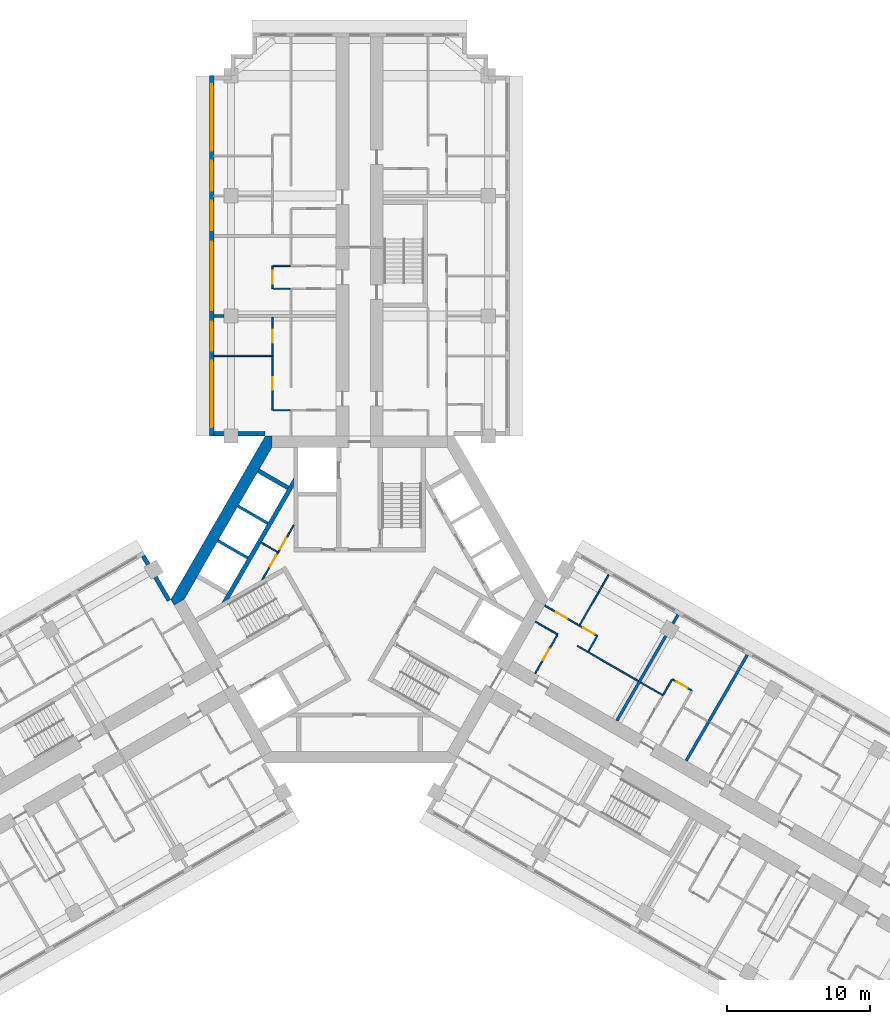
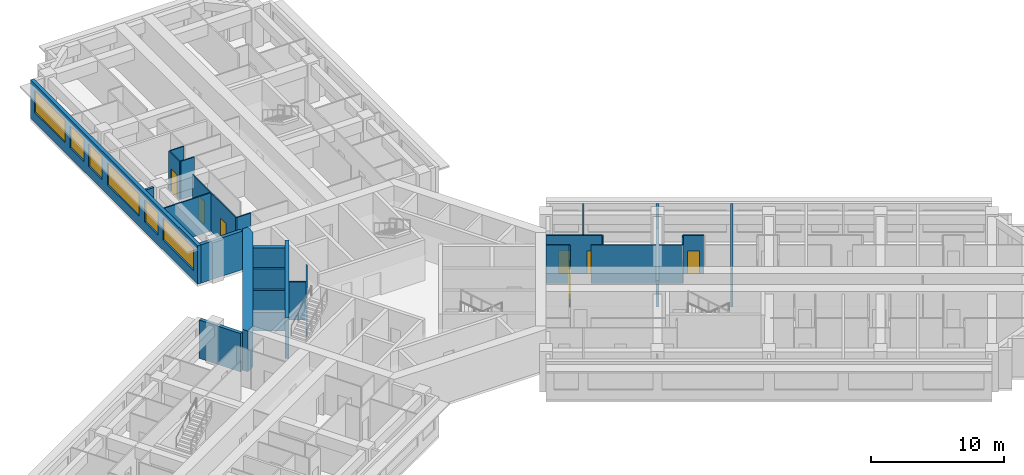
# One storey, part 7 of 13: 29 walls, 9 doors, 6 windows, 15 openings.
"""IFC4 building model written with IfcOpenShell, lengths in metres."""

from ifc_helpers import new_model, si_unit, direction, frame, frame_2d, origin, place, context, subcontext, project, spatial, polyline, rectangle, outline, extrude, material, layer, layer_set, type_object, element, fill, save


model = new_model("IFC4")

# Units and contexts
model_context = context("Model", 3, precision=1e-05, world=origin(), true_north=direction((0.0, 1.0)))
body_context = subcontext(model_context, "Body", "Model", "MODEL_VIEW")
ifc_project = project(units=[si_unit("LENGTHUNIT", "METRE"), si_unit("AREAUNIT", "SQUARE_METRE"), si_unit("VOLUMEUNIT", "CUBIC_METRE"), si_unit("PLANEANGLEUNIT", "RADIAN"), si_unit("MASSUNIT", "GRAM", prefix="KILO")], contexts=[model_context])

# Site, building, storey
site_placement = place(None, origin())
site = spatial("IfcSite", under=ifc_project, at=site_placement, CompositionType="ELEMENT")
building_placement = place(site_placement, origin())
building = spatial("IfcBuilding", under=site, at=building_placement, Name="Impinga Residences", CompositionType="ELEMENT")
storey_placement = place(building_placement, frame((0.0, 0.0, 139.75)))
storey = spatial("IfcBuildingStorey", under=building, at=storey_placement, Name="L34", CompositionType="ELEMENT", Elevation=139.75)

# Wall, openings, doors
ifc_material_1 = material(Name="Concrete blockwork", Category="masonry")
ifc_layer_1 = layer(ifc_material_1, 0.10009765625)
ifc_layer_set_1 = layer_set([ifc_layer_1], Name="CP1 core room partition, blockwork 100")
wall_type_1 = type_object("IfcWallType", Name="CP1 core room partition, blockwork 100", PredefinedType="PARTITIONING", material=ifc_layer_set_1)
wall_1_placement = place(storey_placement, frame((-6.799560546875, 1.385986328125, 0.0), z_axis=(0.0, 0.0, 1.0), x_axis=(0.500001098885, 0.866024769342, 0.0)))
wall_1 = element("IfcWall", 1, at=wall_1_placement, inside=storey, type_object=wall_type_1, Name="Core room partition, blockwork L34:CORE:high:FP", PredefinedType="PARTITIONING", context=body_context, shape_type="SweptSolid", body=[
    extrude(rectangle(XDim=4.39892578125, YDim=0.10009765625, at=frame_2d((2.199462890625, 0.0))), origin(), (0.0, 0.0, 1.0), 3.530029296875),
])
opening_1_placement = place(wall_1_placement, frame((1.049560546875, 0.0, 0.0)))
opening_1 = element("IfcOpeningElement", 2, at=opening_1_placement, cuts=wall_1, Name="Opening D6", PredefinedType="OPENING", context=body_context, shape_type="SweptSolid", body=[
    extrude(rectangle(XDim=0.89990234375, YDim=2.10009765625, at=frame_2d((0.449951171875, 1.050048828125))), frame((0.0, 0.06005859375, 0.0), z_axis=(0.0, -1.0, 0.0), x_axis=(1.0, 0.0, 0.0)), (0.0, 0.0, 1.0), 0.1201171875),
])
opening_2_placement = place(wall_1_placement, frame((2.449462890625, 0.0, 0.0)))
opening_2 = element("IfcOpeningElement", 3, at=opening_2_placement, cuts=wall_1, Name="Opening D6", PredefinedType="OPENING", context=body_context, shape_type="SweptSolid", body=[
    extrude(rectangle(XDim=0.89990234375, YDim=2.10009765625, at=frame_2d((0.449951171875, 1.050048828125))), frame((0.0, 0.06005859375, 0.0), z_axis=(0.0, -1.0, 0.0), x_axis=(1.0, 0.0, 0.0)), (0.0, 0.0, 1.0), 0.1201171875),
])
ifc_material_2 = material(Name="Timber door set", Category="wood")
door_type_1 = type_object("IfcDoorType", Name="D6 riser and store door 900x2100", OperationType="SINGLE_SWING_LEFT", PredefinedType="DOOR", material=ifc_material_2)
door_1_placement = place(opening_1_placement, origin())
door_1 = element("IfcDoor", 4, at=door_1_placement, inside=storey, type_object=door_type_1, Name="Cleaners' store door", OperationType="SINGLE_SWING_LEFT", OverallHeight=2.10009765625, OverallWidth=0.89990234375, PredefinedType="DOOR", context=body_context, shape_type="SweptSolid", body=[
    extrude(rectangle(XDim=0.89990234375, YDim=2.10009765625, at=frame_2d((0.449951171875, 1.050048828125))), frame((0.0, 0.02490234375, 0.0), z_axis=(0.0, -1.0, 0.0), x_axis=(1.0, 0.0, 0.0)), (0.0, 0.0, 1.0), 0.050048828125),
])
fill(opening_1, door_1)
door_2_placement = place(opening_2_placement, origin())
door_2 = element("IfcDoor", 5, at=door_2_placement, inside=storey, type_object=door_type_1, Name="Refuse room door", OperationType="SINGLE_SWING_RIGHT", OverallHeight=2.10009765625, OverallWidth=0.89990234375, PredefinedType="DOOR", context=body_context, shape_type="SweptSolid", body=[
    extrude(rectangle(XDim=0.89990234375, YDim=2.10009765625, at=frame_2d((0.449951171875, 1.050048828125))), frame((0.0, 0.02490234375, 0.0), z_axis=(0.0, -1.0, 0.0), x_axis=(1.0, 0.0, 0.0)), (0.0, 0.0, 1.0), 0.050048828125),
])
fill(opening_2, door_2)

# Walls
wall_2_placement = place(storey_placement, frame((-5.7431640625, 3.315673828125, 0.0), z_axis=(0.0, 0.0, 1.0), x_axis=(-0.86595725628, 0.500118016368, 0.0)))
element("IfcWall", 6, at=wall_2_placement, inside=storey, type_object=wall_type_1, Name="Core room partition, blockwork L34:CORE:high:FS", PredefinedType="PARTITIONING", context=body_context, shape_type="SweptSolid", body=[
    extrude(rectangle(XDim=1.300048828125, YDim=0.10009765625, at=frame_2d((0.64990234375, 0.0))), origin(), (0.0, 0.0, 1.0), 3.530029296875),
])
ifc_material_3 = material(Name="Terracotta rainscreen on blockwork", Category="masonry")
ifc_layer_2 = layer(ifc_material_3, 0.300048828125)
ifc_layer_set_2 = layer_set([ifc_layer_2], Name="EW1 external wall, terracotta rainscreen on blockwork 300")
wall_type_2 = type_object("IfcWallType", Name="EW1 external wall, terracotta rainscreen on blockwork 300", PredefinedType="SOLIDWALL", material=ifc_layer_set_2)
wall_3_placement = place(storey_placement, frame((-15.1298828125, 3.042724609375, 0.0), z_axis=(0.0, 0.0, 1.0), x_axis=(0.500012057535, -0.866018442252, 0.0)))
element("IfcWall", 7, at=wall_3_placement, inside=storey, type_object=wall_type_2, Name="External wall EW1 L34", PredefinedType="SOLIDWALL", context=body_context, shape_type="SweptSolid", body=[
    extrude(rectangle(XDim=3.60009765625, YDim=0.300048828125, at=frame_2d((1.800048828125, 0.0))), origin(), (0.0, 0.0, 1.0), 3.530029296875),
])
wall_4_placement = place(storey_placement, frame((-6.60009765625, 11.58154296875, 0.0), z_axis=(0.0, 0.0, 1.0), x_axis=(-1.0, 0.0, 0.0)))
element("IfcWall", 8, at=wall_4_placement, inside=storey, type_object=wall_type_2, Name="External wall EW1 L34", PredefinedType="SOLIDWALL", context=body_context, shape_type="SweptSolid", body=[
    extrude(rectangle(XDim=3.599853515625, YDim=0.300048828125, at=frame_2d((1.7998046875, 0.0))), origin(), (0.0, 0.0, 1.0), 3.530029296875),
])

# Wall, openings, windows
wall_5_placement = place(storey_placement, frame((-10.35009765625, 11.431640625, 0.0), z_axis=(0.0, 0.0, 1.0), x_axis=(0.0, 1.0, 0.0)))
wall_5 = element("IfcWall", 9, at=wall_5_placement, inside=storey, type_object=wall_type_2, Name="External wall EW1 L34", PredefinedType="SOLIDWALL", context=body_context, shape_type="SweptSolid", body=[
    extrude(rectangle(XDim=25.199951171875, YDim=0.300048828125, at=frame_2d((12.60009765625, 0.0))), origin(), (0.0, 0.0, 1.0), 3.530029296875),
])
opening_3_placement = place(wall_5_placement, frame((0.60009765625, 0.0, 0.89990234375)))
opening_3 = element("IfcOpeningElement", 10, at=opening_3_placement, cuts=wall_5, Name="Opening W10", PredefinedType="OPENING", context=body_context, shape_type="SweptSolid", body=[
    extrude(rectangle(XDim=4.64990234375, YDim=2.050048828125, at=frame_2d((2.324951171875, 1.02490234375))), frame((0.0, 0.159912109375, 0.0), z_axis=(0.0, -1.0, 0.0), x_axis=(1.0, 0.0, 0.0)), (0.0, 0.0, 1.0), 0.320068359375),
])
opening_4_placement = place(wall_5_placement, frame((5.949951171875, 0.0, 0.89990234375)))
opening_4 = element("IfcOpeningElement", 11, at=opening_4_placement, cuts=wall_5, Name="Opening W14", PredefinedType="OPENING", context=body_context, shape_type="SweptSolid", body=[
    extrude(rectangle(XDim=2.050048828125, YDim=2.050048828125, at=frame_2d((1.02490234375, 1.02490234375))), frame((0.0, 0.159912109375, 0.0), z_axis=(0.0, -1.0, 0.0), x_axis=(1.0, 0.0, 0.0)), (0.0, 0.0, 1.0), 0.320068359375),
])
opening_5_placement = place(wall_5_placement, frame((8.800048828125, 0.0, 0.89990234375)))
opening_5 = element("IfcOpeningElement", 12, at=opening_5_placement, cuts=wall_5, Name="Opening W8", PredefinedType="OPENING", context=body_context, shape_type="SweptSolid", body=[
    extrude(rectangle(XDim=4.800048828125, YDim=2.050048828125, at=frame_2d((2.39990234375, 1.02490234375))), frame((0.0, 0.159912109375, 0.0), z_axis=(0.0, -1.0, 0.0), x_axis=(1.0, 0.0, 0.0)), (0.0, 0.0, 1.0), 0.320068359375),
])
opening_6_placement = place(wall_5_placement, frame((14.39990234375, 0.0, 0.89990234375)))
opening_6 = element("IfcOpeningElement", 13, at=opening_6_placement, cuts=wall_5, Name="Opening W14", PredefinedType="OPENING", context=body_context, shape_type="SweptSolid", body=[
    extrude(rectangle(XDim=2.050048828125, YDim=2.050048828125, at=frame_2d((1.02490234375, 1.02490234375))), frame((0.0, 0.159912109375, 0.0), z_axis=(0.0, -1.0, 0.0), x_axis=(1.0, 0.0, 0.0)), (0.0, 0.0, 1.0), 0.320068359375),
])
opening_7_placement = place(wall_5_placement, frame((17.14990234375, 0.0, 0.89990234375)))
opening_7 = element("IfcOpeningElement", 14, at=opening_7_placement, cuts=wall_5, Name="Opening W9", PredefinedType="OPENING", context=body_context, shape_type="SweptSolid", body=[
    extrude(rectangle(XDim=2.10009765625, YDim=2.050048828125, at=frame_2d((1.050048828125, 1.02490234375))), frame((0.0, 0.159912109375, 0.0), z_axis=(0.0, -1.0, 0.0), x_axis=(1.0, 0.0, 0.0)), (0.0, 0.0, 1.0), 0.320068359375),
])
opening_8_placement = place(wall_5_placement, frame((19.949951171875, 0.0, 0.89990234375)))
opening_8 = element("IfcOpeningElement", 15, at=opening_8_placement, cuts=wall_5, Name="Opening W10", PredefinedType="OPENING", context=body_context, shape_type="SweptSolid", body=[
    extrude(rectangle(XDim=4.64990234375, YDim=2.050048828125, at=frame_2d((2.324951171875, 1.02490234375))), frame((0.0, 0.159912109375, 0.0), z_axis=(0.0, -1.0, 0.0), x_axis=(1.0, 0.0, 0.0)), (0.0, 0.0, 1.0), 0.320068359375),
])
ifc_material_4 = material(Name="Aluminium window, clear double glazing", Category="aluminium")
window_type_1 = type_object("IfcWindowType", Name="W10 ribbon window 4650x2050", PartitioningType="SINGLE_PANEL", PredefinedType="WINDOW", material=ifc_material_4)
window_1_placement = place(opening_3_placement, origin())
window_1 = element("IfcWindow", 16, at=window_1_placement, inside=storey, type_object=window_type_1, Name="Window L34", OverallHeight=2.050048828125, OverallWidth=4.64990234375, PartitioningType="SINGLE_PANEL", PredefinedType="WINDOW", context=body_context, shape_type="SweptSolid", body=[
    extrude(rectangle(XDim=4.64990234375, YDim=2.050048828125, at=frame_2d((2.324951171875, 1.02490234375))), frame((0.0, 0.030029296875, 0.0), z_axis=(0.0, -1.0, 0.0), x_axis=(1.0, 0.0, 0.0)), (0.0, 0.0, 1.0), 0.06005859375),
])
fill(opening_3, window_1)
window_2_placement = place(opening_8_placement, origin())
window_2 = element("IfcWindow", 17, at=window_2_placement, inside=storey, type_object=window_type_1, Name="Window L34", OverallHeight=2.050048828125, OverallWidth=4.64990234375, PartitioningType="SINGLE_PANEL", PredefinedType="WINDOW", context=body_context, shape_type="SweptSolid", body=[
    extrude(rectangle(XDim=4.64990234375, YDim=2.050048828125, at=frame_2d((2.324951171875, 1.02490234375))), frame((0.0, 0.030029296875, 0.0), z_axis=(0.0, -1.0, 0.0), x_axis=(1.0, 0.0, 0.0)), (0.0, 0.0, 1.0), 0.06005859375),
])
fill(opening_8, window_2)
window_type_2 = type_object("IfcWindowType", Name="W14 ribbon window 2050x2050", PartitioningType="SINGLE_PANEL", PredefinedType="WINDOW", material=ifc_material_4)
window_3_placement = place(opening_4_placement, origin())
window_3 = element("IfcWindow", 18, at=window_3_placement, inside=storey, type_object=window_type_2, Name="Window L34", OverallHeight=2.050048828125, OverallWidth=2.050048828125, PartitioningType="SINGLE_PANEL", PredefinedType="WINDOW", context=body_context, shape_type="SweptSolid", body=[
    extrude(rectangle(XDim=2.050048828125, YDim=2.050048828125, at=frame_2d((1.02490234375, 1.02490234375))), frame((0.0, 0.030029296875, 0.0), z_axis=(0.0, -1.0, 0.0), x_axis=(1.0, 0.0, 0.0)), (0.0, 0.0, 1.0), 0.06005859375),
])
fill(opening_4, window_3)
window_4_placement = place(opening_6_placement, origin())
window_4 = element("IfcWindow", 19, at=window_4_placement, inside=storey, type_object=window_type_2, Name="Window L34", OverallHeight=2.050048828125, OverallWidth=2.050048828125, PartitioningType="SINGLE_PANEL", PredefinedType="WINDOW", context=body_context, shape_type="SweptSolid", body=[
    extrude(rectangle(XDim=2.050048828125, YDim=2.050048828125, at=frame_2d((1.02490234375, 1.02490234375))), frame((0.0, 0.030029296875, 0.0), z_axis=(0.0, -1.0, 0.0), x_axis=(1.0, 0.0, 0.0)), (0.0, 0.0, 1.0), 0.06005859375),
])
fill(opening_6, window_4)
window_type_3 = type_object("IfcWindowType", Name="W8 ribbon window 4800x2050", PartitioningType="SINGLE_PANEL", PredefinedType="WINDOW", material=ifc_material_4)
window_5_placement = place(opening_5_placement, origin())
window_5 = element("IfcWindow", 20, at=window_5_placement, inside=storey, type_object=window_type_3, Name="Window L34", OverallHeight=2.050048828125, OverallWidth=4.800048828125, PartitioningType="SINGLE_PANEL", PredefinedType="WINDOW", context=body_context, shape_type="SweptSolid", body=[
    extrude(rectangle(XDim=4.800048828125, YDim=2.050048828125, at=frame_2d((2.39990234375, 1.02490234375))), frame((0.0, 0.030029296875, 0.0), z_axis=(0.0, -1.0, 0.0), x_axis=(1.0, 0.0, 0.0)), (0.0, 0.0, 1.0), 0.06005859375),
])
fill(opening_5, window_5)
window_type_4 = type_object("IfcWindowType", Name="W9 ribbon window 2100x2050", PartitioningType="SINGLE_PANEL", PredefinedType="WINDOW", material=ifc_material_4)
window_6_placement = place(opening_7_placement, origin())
window_6 = element("IfcWindow", 21, at=window_6_placement, inside=storey, type_object=window_type_4, Name="Window L34", OverallHeight=2.050048828125, OverallWidth=2.10009765625, PartitioningType="SINGLE_PANEL", PredefinedType="WINDOW", context=body_context, shape_type="SweptSolid", body=[
    extrude(rectangle(XDim=2.10009765625, YDim=2.050048828125, at=frame_2d((1.050048828125, 1.02490234375))), frame((0.0, 0.030029296875, 0.0), z_axis=(0.0, -1.0, 0.0), x_axis=(1.0, 0.0, 0.0)), (0.0, 0.0, 1.0), 0.06005859375),
])
fill(opening_7, window_6)

# Wall, openings, doors
ifc_material_5 = material(Name="Gypsum board on steel studs", Category="steel")
ifc_layer_3 = layer(ifc_material_5, 0.10009765625)
ifc_layer_set_3 = layer_set([ifc_layer_3], Name="Gypsum board on steel studs")
wall_type_3 = type_object("IfcWallType", Name="IP1 partition 100", PredefinedType="PARTITIONING", material=ifc_layer_set_3)
wall_6_placement = place(storey_placement, frame((-6.10009765625, 13.2314453125, 0.0), z_axis=(0.0, 0.0, 1.0), x_axis=(0.0, 1.0, 0.0)))
wall_6 = element("IfcWall", 22, at=wall_6_placement, inside=storey, type_object=wall_type_3, Name="Partition L34-NA1:STRIP", PredefinedType="PARTITIONING", context=body_context, shape_type="SweptSolid", body=[
    extrude(rectangle(XDim=6.5, YDim=0.10009765625, at=frame_2d((3.25, 0.0))), origin(), (0.0, 0.0, 1.0), 3.530029296875),
])
opening_9_placement = place(wall_6_placement, frame((1.425048828125, 0.0, 0.0)))
opening_9 = element("IfcOpeningElement", 23, at=opening_9_placement, cuts=wall_6, Name="Opening D2", PredefinedType="OPENING", context=body_context, shape_type="SweptSolid", body=[
    extrude(rectangle(XDim=0.89990234375, YDim=2.10009765625, at=frame_2d((0.449951171875, 1.050048828125))), frame((0.0, 0.06005859375, 0.0), z_axis=(0.0, -1.0, 0.0), x_axis=(1.0, 0.0, 0.0)), (0.0, 0.0, 1.0), 0.1201171875),
])
opening_10_placement = place(wall_6_placement, frame((4.72509765625, 0.0, 0.0)))
opening_10 = element("IfcOpeningElement", 24, at=opening_10_placement, cuts=wall_6, Name="Opening D2", PredefinedType="OPENING", context=body_context, shape_type="SweptSolid", body=[
    extrude(rectangle(XDim=0.89990234375, YDim=2.10009765625, at=frame_2d((0.449951171875, 1.050048828125))), frame((0.0, 0.06005859375, 0.0), z_axis=(0.0, -1.0, 0.0), x_axis=(1.0, 0.0, 0.0)), (0.0, 0.0, 1.0), 0.1201171875),
])
door_type_2 = type_object("IfcDoorType", Name="D2 internal door 900x2100", OperationType="SINGLE_SWING_LEFT", PredefinedType="DOOR", material=ifc_material_2)
door_3_placement = place(opening_9_placement, origin())
door_3 = element("IfcDoor", 25, at=door_3_placement, inside=storey, type_object=door_type_2, Name="Apartment L34-NA1 room door", OperationType="SINGLE_SWING_LEFT", OverallHeight=2.10009765625, OverallWidth=0.89990234375, PredefinedType="DOOR", context=body_context, shape_type="SweptSolid", body=[
    extrude(rectangle(XDim=0.89990234375, YDim=2.10009765625, at=frame_2d((0.449951171875, 1.050048828125))), frame((0.0, 0.02490234375, 0.0), z_axis=(0.0, -1.0, 0.0), x_axis=(1.0, 0.0, 0.0)), (0.0, 0.0, 1.0), 0.050048828125),
])
fill(opening_9, door_3)
door_4_placement = place(opening_10_placement, origin())
door_4 = element("IfcDoor", 26, at=door_4_placement, inside=storey, type_object=door_type_2, Name="Apartment L34-NA1 room door", OperationType="SINGLE_SWING_RIGHT", OverallHeight=2.10009765625, OverallWidth=0.89990234375, PredefinedType="DOOR", context=body_context, shape_type="SweptSolid", body=[
    extrude(rectangle(XDim=0.89990234375, YDim=2.10009765625, at=frame_2d((0.449951171875, 1.050048828125))), frame((0.0, 0.02490234375, 0.0), z_axis=(0.0, -1.0, 0.0), x_axis=(1.0, 0.0, 0.0)), (0.0, 0.0, 1.0), 0.050048828125),
])
fill(opening_10, door_4)

# Walls
wall_7_placement = place(storey_placement, frame((-4.85009765625, 13.2314453125, 0.0), z_axis=(0.0, 0.0, 1.0), x_axis=(-1.0, 0.0, 0.0)))
element("IfcWall", 27, at=wall_7_placement, inside=storey, type_object=wall_type_3, Name="Partition L34-NA1:SE0", PredefinedType="PARTITIONING", context=body_context, shape_type="SweptSolid", body=[
    extrude(rectangle(XDim=1.199951171875, YDim=0.10009765625, at=frame_2d((0.60009765625, 0.0))), origin(), (0.0, 0.0, 1.0), 3.530029296875),
])
wall_8_placement = place(storey_placement, frame((-6.14990234375, 17.031494140625, 0.0), z_axis=(0.0, 0.0, 1.0), x_axis=(-1.0, 0.0, 0.0)))
element("IfcWall", 28, at=wall_8_placement, inside=storey, type_object=wall_type_3, Name="Partition L34-NA1:OB1", PredefinedType="PARTITIONING", context=body_context, shape_type="SweptSolid", body=[
    extrude(rectangle(XDim=4.050048828125, YDim=0.10009765625, at=frame_2d((2.02490234375, 0.0))), origin(), (0.0, 0.0, 1.0), 3.530029296875),
])

# Wall, opening, door
wall_9_placement = place(storey_placement, frame((-6.10009765625, 21.7314453125, 0.0), z_axis=(0.0, 0.0, 1.0), x_axis=(0.0, 1.0, 0.0)))
wall_9 = element("IfcWall", 29, at=wall_9_placement, inside=storey, type_object=wall_type_3, Name="Partition L34-NA2:STRIP", PredefinedType="PARTITIONING", context=body_context, shape_type="SweptSolid", body=[
    extrude(rectangle(XDim=1.60009765625, YDim=0.10009765625, at=frame_2d((0.800048828125, 0.0))), origin(), (0.0, 0.0, 1.0), 3.530029296875),
])
opening_11_placement = place(wall_9_placement, frame((0.35009765625, 0.0, 0.0)))
opening_11 = element("IfcOpeningElement", 30, at=opening_11_placement, cuts=wall_9, Name="Opening D2", PredefinedType="OPENING", context=body_context, shape_type="SweptSolid", body=[
    extrude(rectangle(XDim=0.89990234375, YDim=2.10009765625, at=frame_2d((0.449951171875, 1.050048828125))), frame((0.0, 0.06005859375, 0.0), z_axis=(0.0, -1.0, 0.0), x_axis=(1.0, 0.0, 0.0)), (0.0, 0.0, 1.0), 0.1201171875),
])
door_5_placement = place(opening_11_placement, origin())
door_5 = element("IfcDoor", 31, at=door_5_placement, inside=storey, type_object=door_type_2, Name="Apartment L34-NA2 room door", OperationType="SINGLE_SWING_LEFT", OverallHeight=2.10009765625, OverallWidth=0.89990234375, PredefinedType="DOOR", context=body_context, shape_type="SweptSolid", body=[
    extrude(rectangle(XDim=0.89990234375, YDim=2.10009765625, at=frame_2d((0.449951171875, 1.050048828125))), frame((0.0, 0.02490234375, 0.0), z_axis=(0.0, -1.0, 0.0), x_axis=(1.0, 0.0, 0.0)), (0.0, 0.0, 1.0), 0.050048828125),
])
fill(opening_11, door_5)

# Walls
for number, where, z_axis, x_axis, name in (
    (32, (-4.85009765625, 21.7314453125, 0.0), (0.0, 0.0, 1.0), (-1.0, 0.0, 0.0), "Partition L34-NA2:SE0"),
    (33, (-4.85009765625, 23.33154296875, 0.0), (0.0, 0.0, 1.0), (-1.0, 0.0, 0.0), "Partition L34-NA2:SE1"),
):
    element("IfcWall", number, at=place(storey_placement, frame(where, z_axis=z_axis, x_axis=x_axis)), inside=storey, type_object=wall_type_3, Name=name, PredefinedType="PARTITIONING", context=body_context, shape_type="SweptSolid", body=[
        extrude(rectangle(XDim=1.199951171875, YDim=0.10009765625, at=frame_2d((0.60009765625, 0.0))), origin(), (0.0, 0.0, 1.0), 3.530029296875),
    ])
wall_10_placement = place(storey_placement, frame((12.300048828125, -1.558837890625, 0.0), z_axis=(0.0, 0.0, 1.0), x_axis=(0.866047807691, -0.499961193289, 0.0)))
element("IfcWall", 34, at=wall_10_placement, inside=storey, type_object=wall_type_3, Name="Partition L34-EA1:DIV0", PredefinedType="PARTITIONING", context=body_context, shape_type="SweptSolid", body=[
    extrude(rectangle(XDim=1.800048828125, YDim=0.10009765625, at=frame_2d((0.89990234375, 0.0))), origin(), (0.0, 0.0, 1.0), 3.530029296875),
])
wall_11_placement = place(storey_placement, frame((15.244384765625, -3.2587890625, 0.0), z_axis=(0.0, 0.0, 1.0), x_axis=(0.866036242063, -0.49998122708, 0.0)))
element("IfcWall", 35, at=wall_11_placement, inside=storey, type_object=wall_type_3, Name="Partition L34-EA1:DIV1", PredefinedType="PARTITIONING", context=body_context, shape_type="SweptSolid", body=[
    extrude(rectangle(XDim=4.900146484375, YDim=0.10009765625, at=frame_2d((2.4501953125, 0.0))), origin(), (0.0, 0.0, 1.0), 3.530029296875),
])

# Wall, openings, doors
wall_12_placement = place(storey_placement, frame((12.949951171875, -0.43310546875, 0.0), z_axis=(0.0, 0.0, 1.0), x_axis=(0.866028703517, -0.499994284652, 0.0)))
wall_12 = element("IfcWall", 36, at=wall_12_placement, inside=storey, type_object=wall_type_3, Name="Partition L34-EA1:STRIP", PredefinedType="PARTITIONING", context=body_context, shape_type="SweptSolid", body=[
    extrude(rectangle(XDim=4.25, YDim=0.10009765625, at=frame_2d((2.125, 0.0))), origin(), (0.0, 0.0, 1.0), 3.530029296875),
])
opening_12_placement = place(wall_12_placement, frame((0.925048828125, 0.0, 0.0)))
opening_12 = element("IfcOpeningElement", 37, at=opening_12_placement, cuts=wall_12, Name="Opening D2", PredefinedType="OPENING", context=body_context, shape_type="SweptSolid", body=[
    extrude(rectangle(XDim=0.89990234375, YDim=2.10009765625, at=frame_2d((0.449951171875, 1.050048828125))), frame((0.0, 0.06005859375, 0.0), z_axis=(0.0, -1.0, 0.0), x_axis=(1.0, 0.0, 0.0)), (0.0, 0.0, 1.0), 0.1201171875),
])
opening_13_placement = place(wall_12_placement, frame((3.10009765625, 0.0, 0.0)))
opening_13 = element("IfcOpeningElement", 38, at=opening_13_placement, cuts=wall_12, Name="Opening D2", PredefinedType="OPENING", context=body_context, shape_type="SweptSolid", body=[
    extrude(rectangle(XDim=0.89990234375, YDim=2.10009765625, at=frame_2d((0.449951171875, 1.050048828125))), frame((0.0, 0.06005859375, 0.0), z_axis=(0.0, -1.0, 0.0), x_axis=(1.0, 0.0, 0.0)), (0.0, 0.0, 1.0), 0.1201171875),
])
door_6_placement = place(opening_12_placement, origin())
door_6 = element("IfcDoor", 39, at=door_6_placement, inside=storey, type_object=door_type_2, Name="Apartment L34-EA1 room door", OperationType="SINGLE_SWING_LEFT", OverallHeight=2.10009765625, OverallWidth=0.89990234375, PredefinedType="DOOR", context=body_context, shape_type="SweptSolid", body=[
    extrude(rectangle(XDim=0.89990234375, YDim=2.10009765625, at=frame_2d((0.449951171875, 1.050048828125))), frame((0.0, 0.02490234375, 0.0), z_axis=(0.0, -1.0, 0.0), x_axis=(1.0, 0.0, 0.0)), (0.0, 0.0, 1.0), 0.050048828125),
])
fill(opening_12, door_6)
door_7_placement = place(opening_13_placement, origin())
door_7 = element("IfcDoor", 40, at=door_7_placement, inside=storey, type_object=door_type_2, Name="Apartment L34-EA1 room door", OperationType="SINGLE_SWING_RIGHT", OverallHeight=2.10009765625, OverallWidth=0.89990234375, PredefinedType="DOOR", context=body_context, shape_type="SweptSolid", body=[
    extrude(rectangle(XDim=0.89990234375, YDim=2.10009765625, at=frame_2d((0.449951171875, 1.050048828125))), frame((0.0, 0.02490234375, 0.0), z_axis=(0.0, -1.0, 0.0), x_axis=(1.0, 0.0, 0.0)), (0.0, 0.0, 1.0), 0.050048828125),
])
fill(opening_13, door_7)

# Wall
wall_13_placement = place(storey_placement, frame((16.005615234375, -3.640625, 0.0), z_axis=(0.0, 0.0, 1.0), x_axis=(0.500033551112, 0.866006032174, 0.0)))
element("IfcWall", 41, at=wall_13_placement, inside=storey, type_object=wall_type_3, Name="Partition L34-EA1:SE1", PredefinedType="PARTITIONING", context=body_context, shape_type="SweptSolid", body=[
    extrude(rectangle(XDim=1.2001953125, YDim=0.10009765625, at=frame_2d((0.60009765625, 0.0))), origin(), (0.0, 0.0, 1.0), 3.530029296875),
])

# Wall, opening, door
wall_14_placement = place(storey_placement, frame((12.283935546875, -5.186767578125, 0.0), z_axis=(0.0, 0.0, 1.0), x_axis=(0.499967891604, 0.866043940782, 0.0)))
wall_14 = element("IfcWall", 42, at=wall_14_placement, inside=storey, type_object=wall_type_3, Name="Partition L34-EA1:IB1", PredefinedType="PARTITIONING", context=body_context, shape_type="SweptSolid", body=[
    extrude(rectangle(XDim=3.099853515625, YDim=0.10009765625, at=frame_2d((1.5498046875, 0.0))), origin(), (0.0, 0.0, 1.0), 3.530029296875),
])
opening_14_placement = place(wall_14_placement, frame((1.10009765625, 0.0, 0.0)))
opening_14 = element("IfcOpeningElement", 43, at=opening_14_placement, cuts=wall_14, Name="Opening D2", PredefinedType="OPENING", context=body_context, shape_type="SweptSolid", body=[
    extrude(rectangle(XDim=0.89990234375, YDim=2.10009765625, at=frame_2d((0.449951171875, 1.050048828125))), frame((0.0, 0.06005859375, 0.0), z_axis=(0.0, -1.0, 0.0), x_axis=(1.0, 0.0, 0.0)), (0.0, 0.0, 1.0), 0.1201171875),
])
door_8_placement = place(opening_14_placement, origin())
door_8 = element("IfcDoor", 44, at=door_8_placement, inside=storey, type_object=door_type_2, Name="Apartment L34-EA1 bathroom door", OperationType="SINGLE_SWING_LEFT", OverallHeight=2.10009765625, OverallWidth=0.89990234375, PredefinedType="DOOR", context=body_context, shape_type="SweptSolid", body=[
    extrude(rectangle(XDim=0.89990234375, YDim=2.10009765625, at=frame_2d((0.449951171875, 1.050048828125))), frame((0.0, 0.02490234375, 0.0), z_axis=(0.0, -1.0, 0.0), x_axis=(1.0, 0.0, 0.0)), (0.0, 0.0, 1.0), 0.050048828125),
])
fill(opening_14, door_8)

# Walls
wall_15_placement = place(storey_placement, frame((15.39990234375, -1.789794921875, 0.0), z_axis=(0.0, 0.0, 1.0), x_axis=(0.499964223975, 0.866046058097, 0.0)))
element("IfcWall", 45, at=wall_15_placement, inside=storey, type_object=wall_type_3, Name="Partition L34-EA1:OB1", PredefinedType="PARTITIONING", context=body_context, shape_type="SweptSolid", body=[
    extrude(rectangle(XDim=4.050048828125, YDim=0.10009765625, at=frame_2d((2.02490234375, 0.0))), origin(), (0.0, 0.0, 1.0), 3.530029296875),
])
wall_16_placement = place(storey_placement, frame((19.6611328125, -5.808837890625, 0.0), z_axis=(0.0, 0.0, 1.0), x_axis=(0.866047807691, -0.499961193289, 0.0)))
element("IfcWall", 46, at=wall_16_placement, inside=storey, type_object=wall_type_3, Name="Partition L34-EA2:DIV0", PredefinedType="PARTITIONING", context=body_context, shape_type="SweptSolid", body=[
    extrude(rectangle(XDim=1.800048828125, YDim=0.10009765625, at=frame_2d((0.89990234375, 0.0))), origin(), (0.0, 0.0, 1.0), 3.530029296875),
])

# Wall, opening, door
wall_17_placement = place(storey_placement, frame((21.8701171875, -5.5830078125, 0.0), z_axis=(0.0, 0.0, 1.0), x_axis=(0.865989903783, -0.500061482766, 0.0)))
wall_17 = element("IfcWall", 47, at=wall_17_placement, inside=storey, type_object=wall_type_3, Name="Partition L34-EA2:STRIP", PredefinedType="PARTITIONING", context=body_context, shape_type="SweptSolid", body=[
    extrude(rectangle(XDim=1.599853515625, YDim=0.10009765625, at=frame_2d((0.7998046875, 0.0))), origin(), (0.0, 0.0, 1.0), 3.530029296875),
])
opening_15_placement = place(wall_17_placement, frame((0.35009765625, 0.0, 0.0)))
opening_15 = element("IfcOpeningElement", 48, at=opening_15_placement, cuts=wall_17, Name="Opening D2", PredefinedType="OPENING", context=body_context, shape_type="SweptSolid", body=[
    extrude(rectangle(XDim=0.89990234375, YDim=2.10009765625, at=frame_2d((0.449951171875, 1.050048828125))), frame((0.0, 0.06005859375, 0.0), z_axis=(0.0, -1.0, 0.0), x_axis=(1.0, 0.0, 0.0)), (0.0, 0.0, 1.0), 0.1201171875),
])
door_9_placement = place(opening_15_placement, origin())
door_9 = element("IfcDoor", 49, at=door_9_placement, inside=storey, type_object=door_type_2, Name="Apartment L34-EA2 room door", OperationType="SINGLE_SWING_LEFT", OverallHeight=2.10009765625, OverallWidth=0.89990234375, PredefinedType="DOOR", context=body_context, shape_type="SweptSolid", body=[
    extrude(rectangle(XDim=0.89990234375, YDim=2.10009765625, at=frame_2d((0.449951171875, 1.050048828125))), frame((0.0, 0.02490234375, 0.0), z_axis=(0.0, -1.0, 0.0), x_axis=(1.0, 0.0, 0.0)), (0.0, 0.0, 1.0), 0.050048828125),
])
fill(opening_15, door_9)

# Walls
wall_18_placement = place(storey_placement, frame((21.2451171875, -6.66552734375, 0.0), z_axis=(0.0, 0.0, 1.0), x_axis=(0.499880961361, 0.866094119867, 0.0)))
element("IfcWall", 50, at=wall_18_placement, inside=storey, type_object=wall_type_3, Name="Partition L34-EA2:SE0", PredefinedType="PARTITIONING", context=body_context, shape_type="SweptSolid", body=[
    extrude(rectangle(XDim=1.199951171875, YDim=0.10009765625, at=frame_2d((0.60009765625, 0.0))), origin(), (0.0, 0.0, 1.0), 3.530029296875),
])
ifc_layer_4 = layer(ifc_material_1, 0.199951171875)
ifc_layer_set_4 = layer_set([ifc_layer_4], Name="PW1 party wall between apartments 200")
wall_type_4 = type_object("IfcWallType", Name="PW1 party wall between apartments 200", PredefinedType="SOLIDWALL", material=ifc_layer_set_4)
wall_19_placement = place(storey_placement, frame((-9.5, 19.83154296875, 0.0), z_axis=(0.0, 0.0, 1.0), x_axis=(-1.0, 0.0, 0.0)))
element("IfcWall", 51, at=wall_19_placement, inside=storey, type_object=wall_type_4, Name="Party wall between apartments L34-NA1:PARTYb", PredefinedType="SOLIDWALL", context=body_context, shape_type="SweptSolid", body=[
    extrude(rectangle(XDim=0.699951171875, YDim=0.199951171875, at=frame_2d((0.35009765625, 0.0))), origin(), (0.0, 0.0, 1.0), 3.530029296875),
])
wall_20_placement = place(storey_placement, frame((17.99951171875, -8.48681640625, 0.0), z_axis=(0.0, 0.0, 1.0), x_axis=(0.499999086063, 0.866025931445, 0.0)))
element("IfcWall", 52, at=wall_20_placement, inside=storey, type_object=wall_type_4, Name="Party wall between apartments L34-EA1:PARTY", PredefinedType="SOLIDWALL", context=body_context, shape_type="SweptSolid", body=[
    extrude(rectangle(XDim=6.85009765625, YDim=0.199951171875, at=frame_2d((3.425048828125, 0.0))), origin(), (0.0, 0.0, 1.0), 2.47998046875),
])
wall_21_placement = place(storey_placement, frame((21.924560546875, -1.6884765625, 0.0), z_axis=(0.0, 0.0, 1.0), x_axis=(0.500114896893, 0.865959057869, 0.0)))
element("IfcWall", 53, at=wall_21_placement, inside=storey, type_object=wall_type_4, Name="Party wall between apartments L34-EA1:PARTYb", PredefinedType="SOLIDWALL", context=body_context, shape_type="SweptSolid", body=[
    extrude(rectangle(XDim=0.699951171875, YDim=0.199951171875, at=frame_2d((0.35009765625, 0.0))), origin(), (0.0, 0.0, 1.0), 3.530029296875),
])
wall_22_placement = place(storey_placement, frame((22.849365234375, -11.286865234375, 0.0), z_axis=(0.0, 0.0, 1.0), x_axis=(0.499990227581, 0.86603104582, 0.0)))
element("IfcWall", 54, at=wall_22_placement, inside=storey, type_object=wall_type_4, Name="Party wall between apartments L34-EA2:PARTY", PredefinedType="SOLIDWALL", context=body_context, shape_type="SweptSolid", body=[
    extrude(rectangle(XDim=8.550048828125, YDim=0.199951171875, at=frame_2d((4.27490234375, 0.0))), origin(), (0.0, 0.0, 1.0), 3.530029296875),
])
ifc_material_6 = material(Name="Concrete C60/75", Category="concrete")
ifc_layer_5 = layer(ifc_material_6, 0.800048828125)
ifc_layer_set_5 = layer_set([ifc_layer_5], Name="Concrete C60/75")
wall_type_5 = type_object("IfcWallType", Name="SW2 core wall 800", PredefinedType="SHEAR", material=ifc_layer_set_5)
wall_23_placement = place(storey_placement, origin())
element("IfcWall", 55, at=wall_23_placement, inside=storey, type_object=wall_type_5, Name="Core wall SW2 E:EXPOSED L34", PredefinedType="SHEAR", context=body_context, shape_type="SweptSolid", body=[
    extrude(outline(polyline([(-6.60009765625, 11.431640625), (-13.199951171875, 0.0), (-12.968994140625, -0.39990234375), (-12.276123046875, 0.0), (-6.13818359375, 10.631591796875), (-6.13818359375, 11.431640625), (-6.60009765625, 11.431640625)])), origin(), (0.0, 0.0, 1.0), 3.75),
])
ifc_material_7 = material(Name="Concrete C70/85", Category="concrete")
ifc_layer_6 = layer(ifc_material_7, 0.300048828125)
ifc_layer_set_6 = layer_set([ifc_layer_6], Name="Concrete C70/85")
wall_type_6 = type_object("IfcWallType", Name="SW5 core inner wall, stairs, shafts and lobbies 300", PredefinedType="SHEAR", material=ifc_layer_set_6)
wall_24_placement = place(storey_placement, frame((-9.547607421875, -0.3740234375, 0.0), z_axis=(0.0, 0.0, 1.0), x_axis=(0.500002290144, 0.866024081565, 0.0)))
element("IfcWall", 56, at=wall_24_placement, inside=storey, type_object=wall_type_6, Name="Core wall SW5 E:BANK-FRONT L34", PredefinedType="SHEAR", context=body_context, shape_type="SweptSolid", body=[
    extrude(rectangle(XDim=10.1953125, YDim=0.300048828125, at=frame_2d((5.09765625, 0.0))), origin(), (0.0, 0.0, 1.0), 3.75),
])
wall_25_placement = place(storey_placement, frame((-5.003662109375, 7.79638671875, 0.0), z_axis=(0.0, 0.0, 1.0), x_axis=(-0.866050077142, 0.499957262057, 0.0)))
element("IfcWall", 57, at=wall_25_placement, inside=storey, type_object=wall_type_6, Name="Core wall SW5 E:BANK-R L34", PredefinedType="SHEAR", context=body_context, shape_type="SweptSolid", body=[
    extrude(rectangle(XDim=2.400146484375, YDim=0.300048828125, at=frame_2d((1.2001953125, 0.0))), origin(), (0.0, 0.0, 1.0), 3.75),
])
ifc_layer_7 = layer(ifc_material_7, 0.199951171875)
ifc_layer_set_7 = layer_set([ifc_layer_7], Name="Concrete C70/85")
wall_type_7 = type_object("IfcWallType", Name="SW6 lift shaft divider wall 200", PredefinedType="SHEAR", material=ifc_layer_set_7)
wall_26_placement = place(storey_placement, frame((-7.82861328125, 2.9033203125, 0.0), z_axis=(0.0, 0.0, 1.0), x_axis=(-0.866050077142, 0.499957262057, 0.0)))
element("IfcWall", 58, at=wall_26_placement, inside=storey, type_object=wall_type_7, Name="Core wall SW6 E:BANK-D1 L34", PredefinedType="SHEAR", context=body_context, shape_type="SweptSolid", body=[
    extrude(rectangle(XDim=2.400146484375, YDim=0.199951171875, at=frame_2d((1.2001953125, 0.0))), origin(), (0.0, 0.0, 1.0), 3.75),
])
wall_27_placement = place(storey_placement, frame((-6.4287109375, 5.328125, 0.0), z_axis=(0.0, 0.0, 1.0), x_axis=(-0.865980596518, 0.500077600433, 0.0)))
element("IfcWall", 59, at=wall_27_placement, inside=storey, type_object=wall_type_7, Name="Core wall SW6 E:BANK-D2 L34", PredefinedType="SHEAR", context=body_context, shape_type="SweptSolid", body=[
    extrude(rectangle(XDim=2.39990234375, YDim=0.199951171875, at=frame_2d((1.199951171875, 0.0))), origin(), (0.0, 0.0, 1.0), 3.75),
])

save(model, "model.ifc")
